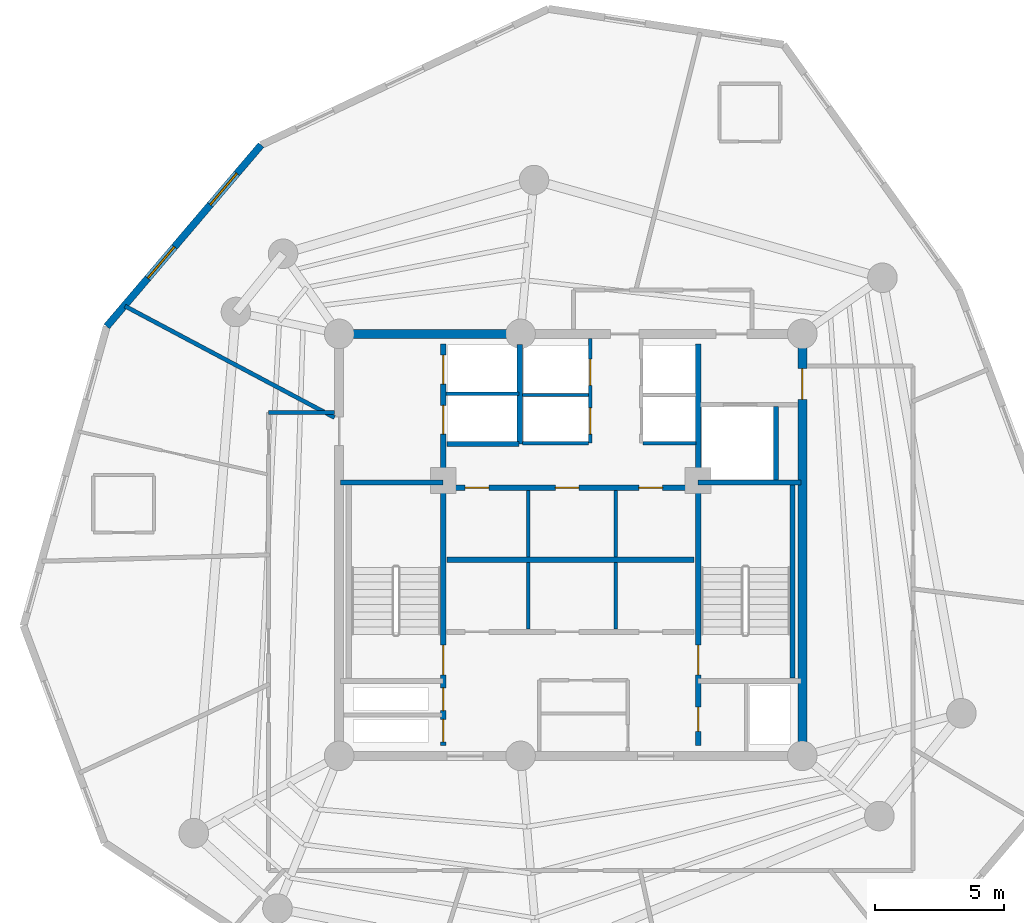
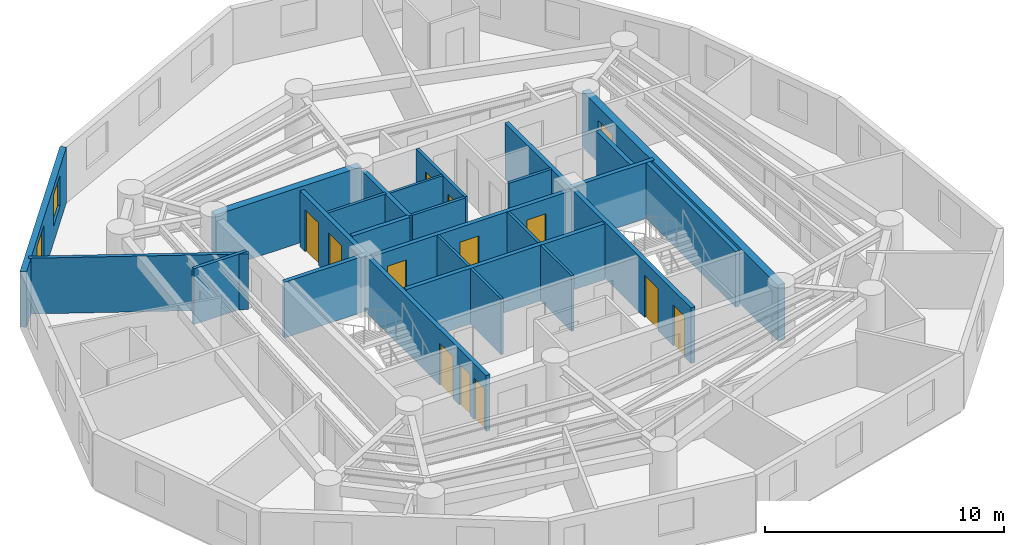
# One storey, part 4 of 7: 24 walls, 13 doors, 2 windows, 15 openings.
"""IFC4 building model written with IfcOpenShell, lengths in metres."""

from ifc_helpers import new_model, si_unit, direction, frame, frame_2d, origin, origin_with_axes, place, context, subcontext, project, spatial, rectangle, extrude, source, transform, mapped, material, layer, layer_set, type_object, element, fill, save


model = new_model("IFC4")

# Units and contexts
model_context = context("Model", 3, precision=1e-05, world=origin(), true_north=direction((0.0, 1.0)))
body_context = subcontext(model_context, "Body", "Model", "MODEL_VIEW")
ifc_project = project(units=[si_unit("LENGTHUNIT", "METRE"), si_unit("AREAUNIT", "SQUARE_METRE"), si_unit("VOLUMEUNIT", "CUBIC_METRE"), si_unit("PLANEANGLEUNIT", "RADIAN"), si_unit("MASSUNIT", "GRAM", prefix="KILO")], contexts=[model_context])

# Site, building, storey
site_placement = place(None, origin())
site = spatial("IfcSite", under=ifc_project, at=site_placement, CompositionType="ELEMENT")
building_placement = place(site_placement, origin())
building = spatial("IfcBuilding", under=site, at=building_placement, Name="Karkom Vertical University and Central Library", CompositionType="ELEMENT")
storey_placement = place(building_placement, frame((0.0, 0.0, 238.25)))
storey = spatial("IfcBuildingStorey", under=building, at=storey_placement, Name="L70", CompositionType="ELEMENT", Elevation=238.25)

# Wall, openings, windows
ifc_material_1 = material(Name="Brick-faced precast concrete C45/55", Category="masonry")
ifc_layer_1 = layer(ifc_material_1, 0.280029296875)
ifc_layer_set_1 = layer_set([ifc_layer_1], Name="Brick-faced precast concrete C45/55")
wall_type_1 = type_object("IfcWallType", Name="ENV-WL-BRK-280", PredefinedType="SOLIDWALL", material=ifc_layer_set_1)
wall_1_placement = place(storey_placement, frame((16.467529296875, 42.041259765625, 0.0), z_axis=(0.0, 0.0, 1.0), x_axis=(-0.648012583003, -0.761629629327, 0.0)))
wall_1 = element("IfcWall", 1, at=wall_1_placement, inside=storey, type_object=wall_type_1, Name="Level 70 Brick-Faced Precast Facade Wall 11", PredefinedType="SOLIDWALL", context=body_context, shape_type="SweptSolid", body=[
    extrude(rectangle(XDim=9.26123046875, YDim=0.280029296875, at=frame_2d((4.630615234375, 0.0))), origin(), (0.0, 0.0, 1.0), 2.85009765625),
])
opening_1_placement = place(wall_1_placement, frame((1.452880859375, 0.0, 0.85009765625)))
opening_1 = element("IfcOpeningElement", 2, at=opening_1_placement, cuts=wall_1, Name="Opening WN-10", PredefinedType="OPENING", context=body_context, shape_type="SweptSolid", body=[
    extrude(rectangle(XDim=1.60009765625, YDim=1.60009765625, at=frame_2d((0.800048828125, 0.800048828125))), frame((0.0, 0.14990234375, 0.0), z_axis=(0.0, -1.0, 0.0), x_axis=(1.0, 0.0, 0.0)), (0.0, 0.0, 1.0), 0.300048828125),
])
opening_2_placement = place(wall_1_placement, frame((5.1982421875, 0.0, 0.85009765625)))
opening_2 = element("IfcOpeningElement", 3, at=opening_2_placement, cuts=wall_1, Name="Opening WN-10", PredefinedType="OPENING", context=body_context, shape_type="SweptSolid", body=[
    extrude(rectangle(XDim=1.60009765625, YDim=1.60009765625, at=frame_2d((0.800048828125, 0.800048828125))), frame((0.0, 0.14990234375, 0.0), z_axis=(0.0, -1.0, 0.0), x_axis=(1.0, 0.0, 0.0)), (0.0, 0.0, 1.0), 0.300048828125),
])
ifc_material_2 = material(Name="Aluminium thermal-break frame with solar-control IGU", Category="aluminium")
window_type = type_object("IfcWindowType", Name="ENV-WIN-WN-10", PartitioningType="SINGLE_PANEL", PredefinedType="WINDOW", material=ifc_material_2)
shared_shape_1 = source(origin_with_axes(), body_context, "Body", "SweptSolid", [
    extrude(rectangle(XDim=1.60009765625, YDim=1.60009765625, at=frame_2d((0.800048828125, 0.800048828125))), frame((0.0, 0.030029296875, 0.0), z_axis=(0.0, -1.0, 0.0), x_axis=(1.0, 0.0, 0.0)), (0.0, 0.0, 1.0), 0.06005859375),
])
window_1_placement = place(opening_1_placement, origin())
window_1 = element("IfcWindow", 4, at=window_1_placement, inside=storey, type_object=window_type, Name="Level 70 Punched Window 11.1", OverallHeight=1.60009765625, OverallWidth=1.60009765625, PartitioningType="SINGLE_PANEL", PredefinedType="WINDOW", context=body_context, shape_type="MappedRepresentation", body=[
    mapped(shared_shape_1, transform((0.0, 0.0, 0.0), scale=1.0)),
])
fill(opening_1, window_1)
window_2_placement = place(opening_2_placement, origin())
window_2 = element("IfcWindow", 5, at=window_2_placement, inside=storey, type_object=window_type, Name="Level 70 Punched Window 11.2", OverallHeight=1.60009765625, OverallWidth=1.60009765625, PartitioningType="SINGLE_PANEL", PredefinedType="WINDOW", context=body_context, shape_type="MappedRepresentation", body=[
    mapped(shared_shape_1, transform((0.0, 0.0, 0.0), scale=1.0)),
])
fill(opening_2, window_2)

# Walls
ifc_material_3 = material(Name="Insulated metal-stud drywall 160mm", Category="gypsum")
ifc_layer_2 = layer(ifc_material_3, 0.159912109375)
ifc_layer_set_2 = layer_set([ifc_layer_2], Name="Insulated metal-stud drywall 160mm")
wall_type_2 = type_object("IfcWallType", Name="INT-WL-COR-160", PredefinedType="PARTITIONING", material=ifc_layer_set_2)
wall_2_placement = place(storey_placement, frame((19.318603515625, 31.44970703125, 0.0), z_axis=(0.0, 0.0, 1.0), x_axis=(-0.882947778203, 0.469471214203, 0.0)))
element("IfcWall", 6, at=wall_2_placement, inside=storey, type_object=wall_type_2, Name="Level 70 Interior Partition Wall L70-PW-013", PredefinedType="PARTITIONING", context=body_context, shape_type="SweptSolid", body=[
    extrude(rectangle(XDim=9.225830078125, YDim=0.159912109375, at=frame_2d((4.61279296875, 0.0))), origin(), (0.0, 0.0, 1.0), 2.85009765625),
])
wall_3_placement = place(storey_placement, frame((16.75, 31.64990234375, 0.0), z_axis=(0.0, 0.0, 1.0), x_axis=(1.0, 0.0, 0.0)))
element("IfcWall", 7, at=wall_3_placement, inside=storey, type_object=wall_type_2, Name="Level 70 Interior Partition Wall L70-CORW-CW-003", PredefinedType="PARTITIONING", context=body_context, shape_type="SweptSolid", body=[
    extrude(rectangle(XDim=2.568115234375, YDim=0.159912109375, at=frame_2d((1.2841796875, 0.0))), origin(), (0.0, 0.0, 1.0), 2.85009765625),
])
ifc_material_4 = material(Name="Moisture-resistant drywall 120mm", Category="gypsum")
ifc_layer_3 = layer(ifc_material_4, 0.1201171875)
ifc_layer_set_3 = layer_set([ifc_layer_3], Name="Moisture-resistant drywall 120mm")
wall_type_3 = type_object("IfcWallType", Name="INT-WL-INT-120", PredefinedType="PARTITIONING", material=ifc_layer_set_3)
for number, where, z_axis, x_axis, name in (
    (8, (26.85009765625, 23.22705078125, 0.0), (0.0, 0.0, 1.0), (0.0, 1.0, 0.0), "Level 70 Interior Partition Wall L70-CW-B1-K4A"),
    (9, (30.25, 23.22705078125, 0.0), (0.0, 0.0, 1.0), (0.0, 1.0, 0.0), "Level 70 Interior Partition Wall L70-CW-B1-K4B"),
    (10, (26.85009765625, 26.027099609375, 0.0), (0.0, 0.0, 1.0), (0.0, 1.0, 0.0), "Level 70 Interior Partition Wall L70-CW-B2-K4A"),
    (11, (30.25, 26.027099609375, 0.0), (0.0, 0.0, 1.0), (0.0, 1.0, 0.0), "Level 70 Interior Partition Wall L70-CW-B2-K4B"),
):
    element("IfcWall", number, at=place(storey_placement, frame(where, z_axis=z_axis, x_axis=x_axis)), inside=storey, type_object=wall_type_3, Name=name, PredefinedType="PARTITIONING", context=body_context, shape_type="SweptSolid", body=[
        extrude(rectangle(XDim=2.586669921875, YDim=0.1201171875, at=frame_2d((1.29345703125, 0.0))), origin(), (0.0, 0.0, 1.0), 2.85009765625),
    ])
ifc_layer_4 = layer(ifc_material_4, 0.1201171875)
ifc_layer_set_4 = layer_set([ifc_layer_4], Name="Moisture-resistant drywall 120mm")
wall_type_4 = type_object("IfcWallType", Name="INT-WL-INT-120H", PredefinedType="PARTITIONING", material=ifc_layer_set_4)
wall_4_placement = place(storey_placement, frame((26.6201171875, 32.320068359375, 0.0), z_axis=(0.0, 0.0, 1.0), x_axis=(1.0, 0.0, 0.0)))
element("IfcWall", 12, at=wall_4_placement, inside=storey, type_object=wall_type_4, Name="Level 70 Interior Partition Wall L70-CW-PH-MW", PredefinedType="PARTITIONING", context=body_context, shape_type="SweptSolid", body=[
    extrude(rectangle(XDim=2.579833984375, YDim=0.1201171875, at=frame_2d((1.2900390625, 0.0))), origin(), (0.0, 0.0, 1.0), 2.85009765625),
])

# Wall, openings, doors
ifc_material_5 = material(Name="Metal-stud gypsum partition 140mm", Category="gypsum")
ifc_layer_5 = layer(ifc_material_5, 0.139892578125)
ifc_layer_set_5 = layer_set([ifc_layer_5], Name="Metal-stud gypsum partition 140mm")
wall_type_5 = type_object("IfcWallType", Name="INT-WL-SUB-140H", PredefinedType="PARTITIONING", material=ifc_layer_set_5)
wall_5_placement = place(storey_placement, frame((29.260009765625, 30.449951171875, 0.0), z_axis=(0.0, 0.0, 1.0), x_axis=(0.0, 1.0, 0.0)))
wall_5 = element("IfcWall", 13, at=wall_5_placement, inside=storey, type_object=wall_type_5, Name="Level 70 Interior Partition Wall L70-CW-PH-W", PredefinedType="PARTITIONING", context=body_context, shape_type="SweptSolid", body=[
    extrude(rectangle(XDim=4.068115234375, YDim=0.139892578125, at=frame_2d((2.0341796875, 0.0))), origin(), (0.0, 0.0, 1.0), 2.85009765625),
])
opening_3_placement = place(wall_5_placement, frame((0.35009765625, 0.0, 0.0)))
opening_3 = element("IfcOpeningElement", 14, at=opening_3_placement, cuts=wall_5, Name="Opening LD-PH", PredefinedType="OPENING", context=body_context, shape_type="SweptSolid", body=[
    extrude(rectangle(XDim=1.02001953125, YDim=2.14990234375, at=frame_2d((0.510009765625, 1.074951171875))), frame((0.0, 0.080078125, 0.0), z_axis=(0.0, -1.0, 0.0), x_axis=(1.0, 0.0, 0.0)), (0.0, 0.0, 1.0), 0.159912109375),
])
opening_4_placement = place(wall_5_placement, frame((2.25, 0.0, 0.0)))
opening_4 = element("IfcOpeningElement", 15, at=opening_4_placement, cuts=wall_5, Name="Opening LD-PH", PredefinedType="OPENING", context=body_context, shape_type="SweptSolid", body=[
    extrude(rectangle(XDim=1.02001953125, YDim=2.14990234375, at=frame_2d((0.510009765625, 1.074951171875))), frame((0.0, 0.080078125, 0.0), z_axis=(0.0, -1.0, 0.0), x_axis=(1.0, 0.0, 0.0)), (0.0, 0.0, 1.0), 0.159912109375),
])
ifc_material_6 = material(Name="Brushed stainless-steel landing door", Category="steel")
door_type_1 = type_object("IfcDoorType", Name="INT-DR-LD-PH", OperationType="SLIDING_TO_LEFT", PredefinedType="DOOR", material=ifc_material_6)
shared_shape_2 = source(origin_with_axes(), body_context, "Body", "SweptSolid", [
    extrude(rectangle(XDim=1.02001953125, YDim=2.14990234375, at=frame_2d((0.510009765625, 1.074951171875))), frame((0.0, 0.02490234375, 0.0), z_axis=(0.0, -1.0, 0.0), x_axis=(1.0, 0.0, 0.0)), (0.0, 0.0, 1.0), 0.050048828125),
])
door_1_placement = place(opening_3_placement, origin())
door_1 = element("IfcDoor", 16, at=door_1_placement, inside=storey, type_object=door_type_1, Name="Level 70 Lift PH-1 Landing Door", OperationType="SLIDING_TO_LEFT", OverallHeight=2.14990234375, OverallWidth=1.02001953125, PredefinedType="DOOR", context=body_context, shape_type="MappedRepresentation", body=[
    mapped(shared_shape_2, transform((0.0, 0.0, 0.0), scale=1.0)),
])
fill(opening_3, door_1)
door_2_placement = place(opening_4_placement, origin())
door_2 = element("IfcDoor", 17, at=door_2_placement, inside=storey, type_object=door_type_1, Name="Level 70 Lift PH-2 Landing Door", OperationType="SLIDING_TO_LEFT", OverallHeight=2.14990234375, OverallWidth=1.02001953125, PredefinedType="DOOR", context=body_context, shape_type="MappedRepresentation", body=[
    mapped(shared_shape_2, transform((0.0, 0.0, 0.0), scale=1.0)),
])
fill(opening_4, door_2)

# Walls
wall_6_placement = place(storey_placement, frame((26.6201171875, 30.449951171875, 0.0), z_axis=(0.0, 0.0, 1.0), x_axis=(1.0, 0.0, 0.0)))
element("IfcWall", 18, at=wall_6_placement, inside=storey, type_object=wall_type_5, Name="Level 70 Interior Partition Wall L70-CW-PH-S1", PredefinedType="PARTITIONING", context=body_context, shape_type="SweptSolid", body=[
    extrude(rectangle(XDim=2.579833984375, YDim=0.139892578125, at=frame_2d((1.2900390625, 0.0))), origin(), (0.0, 0.0, 1.0), 2.85009765625),
])
wall_7_placement = place(storey_placement, frame((31.300048828125, 30.449951171875, 0.0), z_axis=(0.0, 0.0, 1.0), x_axis=(1.0, 0.0, 0.0)))
element("IfcWall", 19, at=wall_7_placement, inside=storey, type_object=wall_type_5, Name="Level 70 Interior Partition Wall L70-CW-PH-S2", PredefinedType="PARTITIONING", context=body_context, shape_type="SweptSolid", body=[
    extrude(rectangle(XDim=2.074951171875, YDim=0.139892578125, at=frame_2d((1.03759765625, 0.0))), origin(), (0.0, 0.0, 1.0), 2.85009765625),
])
ifc_layer_6 = layer(ifc_material_5, 0.139892578125)
ifc_layer_set_6 = layer_set([ifc_layer_6], Name="Metal-stud gypsum partition 140mm")
wall_type_6 = type_object("IfcWallType", Name="INT-WL-SUB-140X", PredefinedType="PARTITIONING", material=ifc_layer_set_6)
wall_8_placement = place(storey_placement, frame((23.652099609375, 32.3701171875, 0.0), z_axis=(0.0, 0.0, 1.0), x_axis=(1.0, 0.0, 0.0)))
element("IfcWall", 20, at=wall_8_placement, inside=storey, type_object=wall_type_6, Name="Level 70 Interior Partition Wall L70-CW-FFL-M", PredefinedType="PARTITIONING", context=body_context, shape_type="SweptSolid", body=[
    extrude(rectangle(XDim=2.827880859375, YDim=0.139892578125, at=frame_2d((1.4140625, 0.0))), origin(), (0.0, 0.0, 1.0), 2.85009765625),
])

# Wall, opening, door
ifc_material_7 = material(Name="Concrete C45/55", Category="concrete")
ifc_layer_7 = layer(ifc_material_7, 0.35009765625)
ifc_layer_set_7 = layer_set([ifc_layer_7], Name="Concrete C45/55")
wall_type_7 = type_object("IfcWallType", Name="STR-WL-CW-350", PredefinedType="SHEAR", material=ifc_layer_set_7)
wall_9_placement = place(storey_placement, frame((37.5, 18.300048828125, 0.0), z_axis=(0.0, 0.0, 1.0), x_axis=(0.0, 1.0, 0.0)))
wall_9 = element("IfcWall", 21, at=wall_9_placement, inside=storey, type_object=wall_type_7, Name="Level 70 Central Core Shear Wall EW", PredefinedType="SHEAR", context=body_context, shape_type="SweptSolid", body=[
    extrude(rectangle(XDim=16.39990234375, YDim=0.35009765625, at=frame_2d((8.199951171875, 0.0))), origin(), (0.0, 0.0, 1.0), 2.85009765625),
])
opening_5_placement = place(wall_9_placement, frame((13.85009765625, 0.0, 0.0)))
opening_5 = element("IfcOpeningElement", 22, at=opening_5_placement, cuts=wall_9, Name="Opening FD-SUB1", PredefinedType="OPENING", context=body_context, shape_type="SweptSolid", body=[
    extrude(rectangle(XDim=1.199951171875, YDim=2.14990234375, at=frame_2d((0.60009765625, 1.074951171875))), frame((0.0, 0.18505859375, 0.0), z_axis=(0.0, -1.0, 0.0), x_axis=(1.0, 0.0, 0.0)), (0.0, 0.0, 1.0), 0.3701171875),
])
ifc_material_8 = material(Name="Painted steel fire door", Category="steel")
door_type_2 = type_object("IfcDoorType", Name="INT-DR-SUB1", OperationType="NOTDEFINED", PredefinedType="DOOR", material=ifc_material_8)
shared_shape_3 = source(origin_with_axes(), body_context, "Body", "SweptSolid", [
    extrude(rectangle(XDim=1.199951171875, YDim=2.14990234375, at=frame_2d((0.60009765625, 1.074951171875))), frame((0.0, 0.02490234375, 0.0), z_axis=(0.0, -1.0, 0.0), x_axis=(1.0, 0.0, 0.0)), (0.0, 0.0, 1.0), 0.050048828125),
])
door_3_placement = place(opening_5_placement, origin())
door_3 = element("IfcDoor", 23, at=door_3_placement, inside=storey, type_object=door_type_2, Name="Level 70 East Corridor Service Lobby Door", OperationType="SINGLE_SWING_RIGHT", OverallHeight=2.14990234375, OverallWidth=1.199951171875, PredefinedType="DOOR", context=body_context, shape_type="MappedRepresentation", body=[
    mapped(shared_shape_3, transform((0.0, 0.0, 0.0), scale=1.0)),
])
fill(opening_5, door_3)

# Wall
wall_10_placement = place(storey_placement, frame((26.550048828125, 34.699951171875, 0.0), z_axis=(0.0, 0.0, 1.0), x_axis=(-1.0, 0.0, 0.0)))
element("IfcWall", 24, at=wall_10_placement, inside=storey, type_object=wall_type_7, Name="Level 70 Central Core Shear Wall NW2", PredefinedType="SHEAR", context=body_context, shape_type="SweptSolid", body=[
    extrude(rectangle(XDim=7.050048828125, YDim=0.35009765625, at=frame_2d((3.52490234375, 0.0))), origin(), (0.0, 0.0, 1.0), 2.85009765625),
])

# Wall, openings, doors
ifc_layer_8 = layer(ifc_material_7, 0.199951171875)
ifc_layer_set_8 = layer_set([ifc_layer_8], Name="Concrete C45/55")
wall_type_8 = type_object("IfcWallType", Name="STR-WL-ST-200", PredefinedType="SHEAR", material=ifc_layer_set_8)
wall_11_placement = place(storey_placement, frame((23.544921875, 18.699951171875, 0.0), z_axis=(0.0, 0.0, 1.0), x_axis=(0.0, 1.0, 0.0)))
wall_11 = element("IfcWall", 25, at=wall_11_placement, inside=storey, type_object=wall_type_8, Name="Level 70 Core Shaft Wall L70-CW-ST1-E", PredefinedType="SHEAR", context=body_context, shape_type="SweptSolid", body=[
    extrude(rectangle(XDim=15.60009765625, YDim=0.199951171875, at=frame_2d((7.800048828125, 0.0))), origin(), (0.0, 0.0, 1.0), 2.85009765625),
])
opening_6_placement = place(wall_11_placement, frame((2.75, 0.0, 0.0)))
opening_6 = element("IfcOpeningElement", 26, at=opening_6_placement, cuts=wall_11, Name="Opening FD-ST1", PredefinedType="OPENING", context=body_context, shape_type="SweptSolid", body=[
    extrude(rectangle(XDim=1.14990234375, YDim=2.14990234375, at=frame_2d((0.574951171875, 1.074951171875))), frame((0.0, 0.10986328125, 0.0), z_axis=(0.0, -1.0, 0.0), x_axis=(1.0, 0.0, 0.0)), (0.0, 0.0, 1.0), 0.219970703125),
])
opening_7_placement = place(wall_11_placement, frame((0.139892578125, 0.0, 0.0)))
opening_7 = element("IfcOpeningElement", 27, at=opening_7_placement, cuts=wall_11, Name="Opening FD-RIS", PredefinedType="OPENING", context=body_context, shape_type="SweptSolid", body=[
    extrude(rectangle(XDim=0.8798828125, YDim=2.10009765625, at=frame_2d((0.43994140625, 1.050048828125))), frame((0.0, 0.10986328125, 0.0), z_axis=(0.0, -1.0, 0.0), x_axis=(1.0, 0.0, 0.0)), (0.0, 0.0, 1.0), 0.219970703125),
])
opening_8_placement = place(wall_11_placement, frame((1.360107421875, 0.0, 0.0)))
opening_8 = element("IfcOpeningElement", 28, at=opening_8_placement, cuts=wall_11, Name="Opening FD-RIS", PredefinedType="OPENING", context=body_context, shape_type="SweptSolid", body=[
    extrude(rectangle(XDim=0.8798828125, YDim=2.10009765625, at=frame_2d((0.43994140625, 1.050048828125))), frame((0.0, 0.10986328125, 0.0), z_axis=(0.0, -1.0, 0.0), x_axis=(1.0, 0.0, 0.0)), (0.0, 0.0, 1.0), 0.219970703125),
])
opening_9_placement = place(wall_11_placement, frame((12.10009765625, 0.0, 0.0)))
opening_9 = element("IfcOpeningElement", 29, at=opening_9_placement, cuts=wall_11, Name="Opening LD-FFL", PredefinedType="OPENING", context=body_context, shape_type="SweptSolid", body=[
    extrude(rectangle(XDim=1.1201171875, YDim=2.14990234375, at=frame_2d((0.56005859375, 1.074951171875))), frame((0.0, 0.10986328125, 0.0), z_axis=(0.0, -1.0, 0.0), x_axis=(1.0, 0.0, 0.0)), (0.0, 0.0, 1.0), 0.219970703125),
])
opening_10_placement = place(wall_11_placement, frame((14.050048828125, 0.0, 0.0)))
opening_10 = element("IfcOpeningElement", 30, at=opening_10_placement, cuts=wall_11, Name="Opening LD-FFL", PredefinedType="OPENING", context=body_context, shape_type="SweptSolid", body=[
    extrude(rectangle(XDim=1.1201171875, YDim=2.14990234375, at=frame_2d((0.56005859375, 1.074951171875))), frame((0.0, 0.10986328125, 0.0), z_axis=(0.0, -1.0, 0.0), x_axis=(1.0, 0.0, 0.0)), (0.0, 0.0, 1.0), 0.219970703125),
])
ifc_material_9 = material(Name="Painted steel acoustic fire door", Category="steel")
door_type_3 = type_object("IfcDoorType", Name="INT-DR-ST1", OperationType="NOTDEFINED", PredefinedType="DOOR", material=ifc_material_9)
shared_shape_4 = source(origin_with_axes(), body_context, "Body", "SweptSolid", [
    extrude(rectangle(XDim=1.14990234375, YDim=2.14990234375, at=frame_2d((0.574951171875, 1.074951171875))), frame((0.0, 0.02490234375, 0.0), z_axis=(0.0, -1.0, 0.0), x_axis=(1.0, 0.0, 0.0)), (0.0, 0.0, 1.0), 0.050048828125),
])
door_4_placement = place(opening_6_placement, origin())
door_4 = element("IfcDoor", 31, at=door_4_placement, inside=storey, type_object=door_type_3, Name="Level 70 Stair ST-1 Fire Door", OperationType="SINGLE_SWING_LEFT", OverallHeight=2.14990234375, OverallWidth=1.14990234375, PredefinedType="DOOR", context=body_context, shape_type="MappedRepresentation", body=[
    mapped(shared_shape_4, transform((0.0, 0.0, 0.0), scale=1.0)),
])
fill(opening_6, door_4)
ifc_material_10 = material(Name="Painted steel riser access door", Category="steel")
door_type_4 = type_object("IfcDoorType", Name="INT-DR-RIS", OperationType="NOTDEFINED", PredefinedType="DOOR", material=ifc_material_10)
shared_shape_5 = source(origin_with_axes(), body_context, "Body", "SweptSolid", [
    extrude(rectangle(XDim=0.8798828125, YDim=2.10009765625, at=frame_2d((0.43994140625, 1.050048828125))), frame((0.0, 0.02490234375, 0.0), z_axis=(0.0, -1.0, 0.0), x_axis=(1.0, 0.0, 0.0)), (0.0, 0.0, 1.0), 0.050048828125),
])
door_5_placement = place(opening_7_placement, origin())
door_5 = element("IfcDoor", 32, at=door_5_placement, inside=storey, type_object=door_type_4, Name="Level 70 Electrical Riser Access Door", OperationType="SINGLE_SWING_RIGHT", OverallHeight=2.10009765625, OverallWidth=0.8798828125, PredefinedType="DOOR", context=body_context, shape_type="MappedRepresentation", body=[
    mapped(shared_shape_5, transform((0.0, 0.0, 0.0), scale=1.0)),
])
fill(opening_7, door_5)
door_6_placement = place(opening_8_placement, origin())
door_6 = element("IfcDoor", 33, at=door_6_placement, inside=storey, type_object=door_type_4, Name="Level 70 Telecom Riser Access Door", OperationType="SINGLE_SWING_LEFT", OverallHeight=2.10009765625, OverallWidth=0.8798828125, PredefinedType="DOOR", context=body_context, shape_type="MappedRepresentation", body=[
    mapped(shared_shape_5, transform((0.0, 0.0, 0.0), scale=1.0)),
])
fill(opening_8, door_6)
ifc_material_11 = material(Name="Fire-rated stainless-steel landing door", Category="steel")
door_type_5 = type_object("IfcDoorType", Name="INT-DR-LD-FFL", OperationType="SLIDING_TO_LEFT", PredefinedType="DOOR", material=ifc_material_11)
shared_shape_6 = source(origin_with_axes(), body_context, "Body", "SweptSolid", [
    extrude(rectangle(XDim=1.1201171875, YDim=2.14990234375, at=frame_2d((0.56005859375, 1.074951171875))), frame((0.0, 0.02490234375, 0.0), z_axis=(0.0, -1.0, 0.0), x_axis=(1.0, 0.0, 0.0)), (0.0, 0.0, 1.0), 0.050048828125),
])
door_7_placement = place(opening_9_placement, origin())
door_7 = element("IfcDoor", 34, at=door_7_placement, inside=storey, type_object=door_type_5, Name="Level 70 Firefighting Lift FFL-1 Landing Door", OperationType="SLIDING_TO_LEFT", OverallHeight=2.14990234375, OverallWidth=1.1201171875, PredefinedType="DOOR", context=body_context, shape_type="MappedRepresentation", body=[
    mapped(shared_shape_6, transform((0.0, 0.0, 0.0), scale=1.0)),
])
fill(opening_9, door_7)
door_8_placement = place(opening_10_placement, origin())
door_8 = element("IfcDoor", 35, at=door_8_placement, inside=storey, type_object=door_type_5, Name="Level 70 Firefighting Lift FFL-2 Landing Door", OperationType="SLIDING_TO_RIGHT", OverallHeight=2.14990234375, OverallWidth=1.1201171875, PredefinedType="DOOR", context=body_context, shape_type="MappedRepresentation", body=[
    mapped(shared_shape_6, transform((0.0, 0.0, 0.0), scale=1.0)),
])
fill(opening_10, door_8)

wall_12_placement = place(storey_placement, frame((33.455078125, 18.699951171875, 0.0), z_axis=(0.0, 0.0, 1.0), x_axis=(0.0, 1.0, 0.0)))
wall_12 = element("IfcWall", 36, at=wall_12_placement, inside=storey, type_object=wall_type_8, Name="Level 70 Core Shaft Wall L70-CW-ST2-W", PredefinedType="SHEAR", context=body_context, shape_type="SweptSolid", body=[
    extrude(rectangle(XDim=15.60009765625, YDim=0.199951171875, at=frame_2d((7.800048828125, 0.0))), origin(), (0.0, 0.0, 1.0), 2.85009765625),
])
opening_11_placement = place(wall_12_placement, frame((2.75, 0.0, 0.0)))
opening_11 = element("IfcOpeningElement", 37, at=opening_11_placement, cuts=wall_12, Name="Opening FD-ST1", PredefinedType="OPENING", context=body_context, shape_type="SweptSolid", body=[
    extrude(rectangle(XDim=1.14990234375, YDim=2.14990234375, at=frame_2d((0.574951171875, 1.074951171875))), frame((0.0, 0.10986328125, 0.0), z_axis=(0.0, -1.0, 0.0), x_axis=(1.0, 0.0, 0.0)), (0.0, 0.0, 1.0), 0.219970703125),
])
opening_12_placement = place(wall_12_placement, frame((0.550048828125, 0.0, 0.0)))
opening_12 = element("IfcOpeningElement", 38, at=opening_12_placement, cuts=wall_12, Name="Opening D-WC1", PredefinedType="OPENING", context=body_context, shape_type="SweptSolid", body=[
    extrude(rectangle(XDim=0.93994140625, YDim=2.10009765625, at=frame_2d((0.469970703125, 1.050048828125))), frame((0.0, 0.10986328125, 0.0), z_axis=(0.0, -1.0, 0.0), x_axis=(1.0, 0.0, 0.0)), (0.0, 0.0, 1.0), 0.219970703125),
])
door_9_placement = place(opening_11_placement, origin())
door_9 = element("IfcDoor", 39, at=door_9_placement, inside=storey, type_object=door_type_3, Name="Level 70 Stair ST-2 Fire Door", OperationType="SINGLE_SWING_RIGHT", OverallHeight=2.14990234375, OverallWidth=1.14990234375, PredefinedType="DOOR", context=body_context, shape_type="MappedRepresentation", body=[
    mapped(shared_shape_4, transform((0.0, 0.0, 0.0), scale=1.0)),
])
fill(opening_11, door_9)
ifc_material_12 = material(Name="Fire-rated laminate moisture-resistant door", Category="wood")
door_type_6 = type_object("IfcDoorType", Name="INT-DR-WC1", OperationType="NOTDEFINED", PredefinedType="DOOR", material=ifc_material_12)
shared_shape_7 = source(origin_with_axes(), body_context, "Body", "SweptSolid", [
    extrude(rectangle(XDim=0.93994140625, YDim=2.10009765625, at=frame_2d((0.469970703125, 1.050048828125))), frame((0.0, 0.02490234375, 0.0), z_axis=(0.0, -1.0, 0.0), x_axis=(1.0, 0.0, 0.0)), (0.0, 0.0, 1.0), 0.050048828125),
])
door_10_placement = place(opening_12_placement, origin())
door_10 = element("IfcDoor", 40, at=door_10_placement, inside=storey, type_object=door_type_6, Name="Level 70 Accessible WC Door", OperationType="SINGLE_SWING_RIGHT", OverallHeight=2.10009765625, OverallWidth=0.93994140625, PredefinedType="DOOR", context=body_context, shape_type="MappedRepresentation", body=[
    mapped(shared_shape_7, transform((0.0, 0.0, 0.0), scale=1.0)),
])
fill(opening_12, door_10)

# Wall
wall_13_placement = place(storey_placement, frame((23.699951171875, 25.919921875, 0.0), z_axis=(0.0, 0.0, 1.0), x_axis=(1.0, 0.0, 0.0)))
element("IfcWall", 41, at=wall_13_placement, inside=storey, type_object=wall_type_8, Name="Level 70 Core Shaft Wall L70-CW-B1-N", PredefinedType="SHEAR", context=body_context, shape_type="SweptSolid", body=[
    extrude(rectangle(XDim=9.60009765625, YDim=0.199951171875, at=frame_2d((4.800048828125, 0.0))), origin(), (0.0, 0.0, 1.0), 2.85009765625),
])

# Wall, openings, doors
wall_14_placement = place(storey_placement, frame((23.699951171875, 28.719970703125, 0.0), z_axis=(0.0, 0.0, 1.0), x_axis=(1.0, 0.0, 0.0)))
wall_14 = element("IfcWall", 42, at=wall_14_placement, inside=storey, type_object=wall_type_8, Name="Level 70 Core Shaft Wall L70-CW-B2-N", PredefinedType="SHEAR", context=body_context, shape_type="SweptSolid", body=[
    extrude(rectangle(XDim=9.60009765625, YDim=0.199951171875, at=frame_2d((4.800048828125, 0.0))), origin(), (0.0, 0.0, 1.0), 2.85009765625),
])
opening_13_placement = place(wall_14_placement, frame((0.699951171875, 0.0, 0.0)))
opening_13 = element("IfcOpeningElement", 43, at=opening_13_placement, cuts=wall_14, Name="Opening D-SVC1", PredefinedType="OPENING", context=body_context, shape_type="SweptSolid", body=[
    extrude(rectangle(XDim=0.919921875, YDim=2.10009765625, at=frame_2d((0.4599609375, 1.050048828125))), frame((0.0, 0.10986328125, 0.0), z_axis=(0.0, -1.0, 0.0), x_axis=(1.0, 0.0, 0.0)), (0.0, 0.0, 1.0), 0.219970703125),
])
opening_14_placement = place(wall_14_placement, frame((4.199951171875, 0.0, 0.0)))
opening_14 = element("IfcOpeningElement", 44, at=opening_14_placement, cuts=wall_14, Name="Opening D-SVC1", PredefinedType="OPENING", context=body_context, shape_type="SweptSolid", body=[
    extrude(rectangle(XDim=0.919921875, YDim=2.10009765625, at=frame_2d((0.4599609375, 1.050048828125))), frame((0.0, 0.10986328125, 0.0), z_axis=(0.0, -1.0, 0.0), x_axis=(1.0, 0.0, 0.0)), (0.0, 0.0, 1.0), 0.219970703125),
])
opening_15_placement = place(wall_14_placement, frame((7.449951171875, 0.0, 0.0)))
opening_15 = element("IfcOpeningElement", 45, at=opening_15_placement, cuts=wall_14, Name="Opening D-SVC1", PredefinedType="OPENING", context=body_context, shape_type="SweptSolid", body=[
    extrude(rectangle(XDim=0.919921875, YDim=2.10009765625, at=frame_2d((0.4599609375, 1.050048828125))), frame((0.0, 0.10986328125, 0.0), z_axis=(0.0, -1.0, 0.0), x_axis=(1.0, 0.0, 0.0)), (0.0, 0.0, 1.0), 0.219970703125),
])
ifc_material_13 = material(Name="Painted timber service door", Category="wood")
door_type_7 = type_object("IfcDoorType", Name="INT-DR-SVC1", OperationType="NOTDEFINED", PredefinedType="DOOR", material=ifc_material_13)
shared_shape_8 = source(origin_with_axes(), body_context, "Body", "SweptSolid", [
    extrude(rectangle(XDim=0.919921875, YDim=2.10009765625, at=frame_2d((0.4599609375, 1.050048828125))), frame((0.0, 0.02490234375, 0.0), z_axis=(0.0, -1.0, 0.0), x_axis=(1.0, 0.0, 0.0)), (0.0, 0.0, 1.0), 0.050048828125),
])
door_11_placement = place(opening_13_placement, origin())
door_11 = element("IfcDoor", 46, at=door_11_placement, inside=storey, type_object=door_type_7, Name="Level 70 B2 Store A Door", OperationType="SINGLE_SWING_RIGHT", OverallHeight=2.10009765625, OverallWidth=0.919921875, PredefinedType="DOOR", context=body_context, shape_type="MappedRepresentation", body=[
    mapped(shared_shape_8, transform((0.0, 0.0, 0.0), scale=1.0)),
])
fill(opening_13, door_11)
door_12_placement = place(opening_14_placement, origin())
door_12 = element("IfcDoor", 47, at=door_12_placement, inside=storey, type_object=door_type_7, Name="Level 70 B2 Comms Door", OperationType="SINGLE_SWING_LEFT", OverallHeight=2.10009765625, OverallWidth=0.919921875, PredefinedType="DOOR", context=body_context, shape_type="MappedRepresentation", body=[
    mapped(shared_shape_8, transform((0.0, 0.0, 0.0), scale=1.0)),
])
fill(opening_14, door_12)
door_13_placement = place(opening_15_placement, origin())
door_13 = element("IfcDoor", 48, at=door_13_placement, inside=storey, type_object=door_type_7, Name="Level 70 B2 Store C Door", OperationType="SINGLE_SWING_RIGHT", OverallHeight=2.10009765625, OverallWidth=0.919921875, PredefinedType="DOOR", context=body_context, shape_type="MappedRepresentation", body=[
    mapped(shared_shape_8, transform((0.0, 0.0, 0.0), scale=1.0)),
])
fill(opening_15, door_13)

# Walls
wall_15_placement = place(storey_placement, frame((37.125, 21.320068359375, 0.0), z_axis=(0.0, 0.0, 1.0), x_axis=(0.0, 1.0, 0.0)))
element("IfcWall", 49, at=wall_15_placement, inside=storey, type_object=wall_type_8, Name="Level 70 Core Shaft Wall L70-CW-ST2-E", PredefinedType="SHEAR", context=body_context, shape_type="SweptSolid", body=[
    extrude(rectangle(XDim=7.5, YDim=0.199951171875, at=frame_2d((3.75, 0.0))), origin(), (0.0, 0.0, 1.0), 2.85009765625),
])
for number, where, z_axis, x_axis, name in (
    (50, (33.455078125, 28.925048828125, 0.0), (0.0, 0.0, 1.0), (1.0, 0.0, 0.0), "Level 70 Core Shaft Wall L70-CW-ST2-N"),
    (51, (19.550048828125, 28.925048828125, 0.0), (0.0, 0.0, 1.0), (1.0, 0.0, 0.0), "Level 70 Core Shaft Wall L70-CW-ST1-N"),
):
    element("IfcWall", number, at=place(storey_placement, frame(where, z_axis=z_axis, x_axis=x_axis)), inside=storey, type_object=wall_type_8, Name=name, PredefinedType="SHEAR", context=body_context, shape_type="SweptSolid", body=[
        extrude(rectangle(XDim=3.994873046875, YDim=0.199951171875, at=frame_2d((1.99755859375, 0.0))), origin(), (0.0, 0.0, 1.0), 2.85009765625),
    ])
wall_16_placement = place(storey_placement, frame((26.52001953125, 30.419921875, 0.0), z_axis=(0.0, 0.0, 1.0), x_axis=(0.0, 1.0, 0.0)))
element("IfcWall", 52, at=wall_16_placement, inside=storey, type_object=wall_type_8, Name="Level 70 Core Shaft Wall L70-CW-FFL-E", PredefinedType="SHEAR", context=body_context, shape_type="SweptSolid", body=[
    extrude(rectangle(XDim=3.860107421875, YDim=0.199951171875, at=frame_2d((1.93017578125, 0.0))), origin(), (0.0, 0.0, 1.0), 2.85009765625),
])
wall_17_placement = place(storey_placement, frame((36.47998046875, 29.02001953125, 0.0), z_axis=(0.0, 0.0, 1.0), x_axis=(0.0, 1.0, 0.0)))
element("IfcWall", 53, at=wall_17_placement, inside=storey, type_object=wall_type_8, Name="Level 70 Core Shaft Wall L70-CW-SVL-E", PredefinedType="SHEAR", context=body_context, shape_type="SweptSolid", body=[
    extrude(rectangle(XDim=2.85986328125, YDim=0.199951171875, at=frame_2d((1.429931640625, 0.0))), origin(), (0.0, 0.0, 1.0), 2.85009765625),
])
wall_18_placement = place(storey_placement, frame((23.699951171875, 30.419921875, 0.0), z_axis=(0.0, 0.0, 1.0), x_axis=(1.0, 0.0, 0.0)))
element("IfcWall", 54, at=wall_18_placement, inside=storey, type_object=wall_type_8, Name="Level 70 Core Shaft Wall L70-CW-FFL-S", PredefinedType="SHEAR", context=body_context, shape_type="SweptSolid", body=[
    extrude(rectangle(XDim=2.780029296875, YDim=0.199951171875, at=frame_2d((1.39013671875, 0.0))), origin(), (0.0, 0.0, 1.0), 2.85009765625),
])

save(model, "model.ifc")
